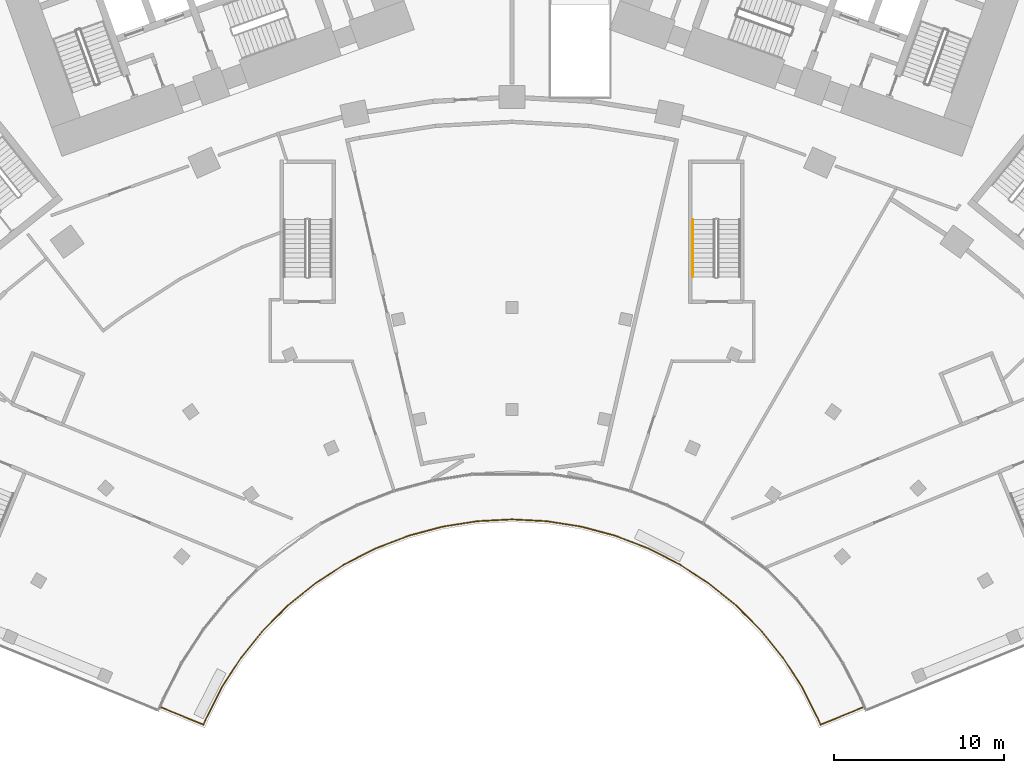
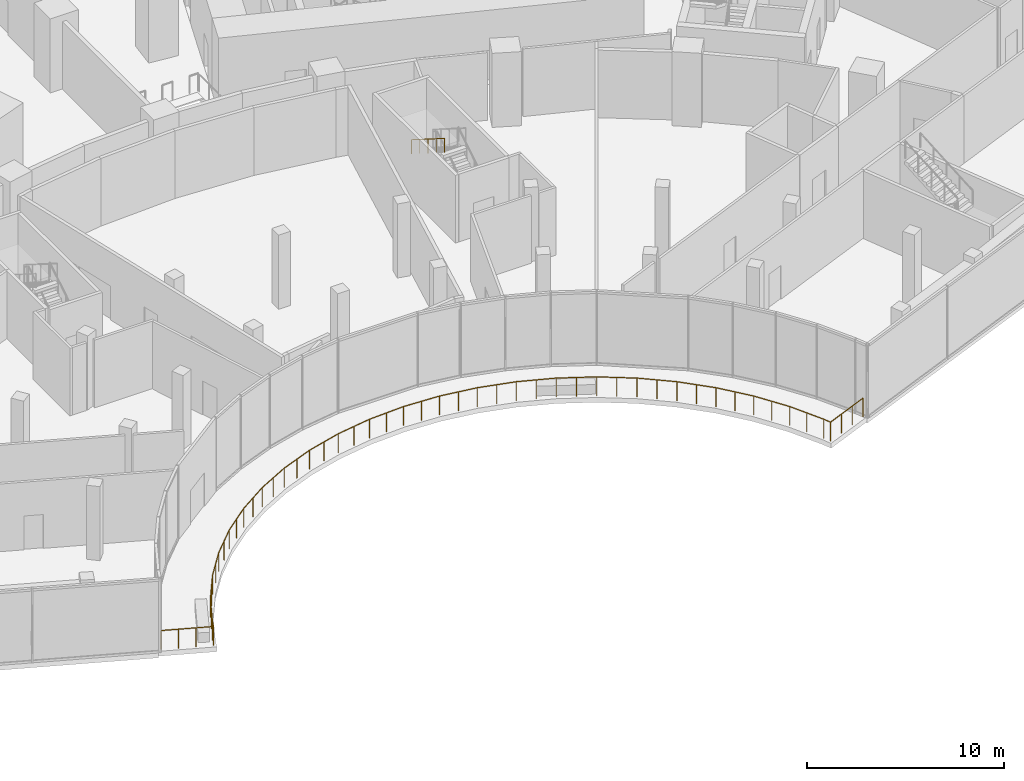
# One storey, part 36 of 40: 2 railings.
"""IFC4 building model written with IfcOpenShell, lengths in metres."""

from ifc_helpers import new_model, si_unit, direction, frame, origin, origin_2d, place, context, subcontext, project, spatial, circle, extrude, material, type_object, element, save


model = new_model("IFC4")

# Units and contexts
model_context = context("Model", 3, precision=1e-05, world=origin(), true_north=direction((0.0, 1.0)))
body_context = subcontext(model_context, "Body", "Model", "MODEL_VIEW")
ifc_project = project(units=[si_unit("LENGTHUNIT", "METRE"), si_unit("AREAUNIT", "SQUARE_METRE"), si_unit("VOLUMEUNIT", "CUBIC_METRE"), si_unit("PLANEANGLEUNIT", "RADIAN"), si_unit("MASSUNIT", "GRAM", prefix="KILO")], contexts=[model_context])

# Site, building, storey
site_placement = place(None, origin())
site = spatial("IfcSite", under=ifc_project, at=site_placement, CompositionType="ELEMENT")
building_placement = place(site_placement, origin())
building = spatial("IfcBuilding", under=site, at=building_placement, Name="Stone Belt Terrace Tower", CompositionType="ELEMENT")
storey_placement = place(building_placement, frame((0.0, 0.0, 11.60009765625)))
storey = spatial("IfcBuildingStorey", under=building, at=storey_placement, Name="L02", CompositionType="ELEMENT", Elevation=11.60009765625)

# Railings
ifc_material_1 = material(Name="Stainless steel handrail", Category="steel")
railing_type_1 = type_object("IfcRailingType", Name="Podium stair handrail", PredefinedType="HANDRAIL", material=ifc_material_1)
railing_1_placement = place(storey_placement, frame((10.625, 37.25, 2.476806640625)))
element("IfcRailing", 1, at=railing_1_placement, inside=storey, type_object=railing_type_1, Name="L02 PS6 stair handrail 2", PredefinedType="HANDRAIL", context=body_context, shape_type="SweptSolid", body=[
    extrude(circle(Radius=0.02392578125, at=origin_2d()), frame((0.0, 0.0, 0.8759765625), z_axis=(0.0, -0.845389635667, 0.534150132366), x_axis=(1.0, 0.0, 0.0)), (0.0, 0.0, 1.0), 3.974609375),
    extrude(circle(Radius=0.02099609375, at=origin_2d()), origin(), (0.0, 0.0, 1.0), 0.851806640625),
    extrude(circle(Radius=0.02099609375, at=origin_2d()), frame((0.0, -0.840087890625, 0.53076171875)), (0.0, 0.0, 1.0), 0.851806640625),
    extrude(circle(Radius=0.02099609375, at=origin_2d()), frame((0.0, -1.68017578125, 1.0615234375)), (0.0, 0.0, 1.0), 0.851806640625),
    extrude(circle(Radius=0.02099609375, at=origin_2d()), frame((0.0, -2.52001953125, 1.59228515625)), (0.0, 0.0, 1.0), 0.851806640625),
    extrude(circle(Radius=0.02099609375, at=origin_2d()), frame((0.0, -3.360107421875, 2.123046875)), (0.0, 0.0, 1.0), 0.851806640625),
])
ifc_material_2 = material(Name="Stainless steel AISI 304", Category="steel")
railing_type_2 = type_object("IfcRailingType", Name="Terrace guard 1200", PredefinedType="GUARDRAIL", material=ifc_material_2)
railing_2_placement = place(storey_placement, frame((-20.621337890625, 8.614013671875, 0.0)))
element("IfcRailing", 2, at=railing_2_placement, inside=storey, type_object=railing_type_2, Name="GUARD L02 1.1", PredefinedType="GUARDRAIL", context=body_context, shape_type="SweptSolid", body=[
    extrude(circle(Radius=0.02490234375, at=origin_2d()), frame((0.0, 0.0, 1.1748046875), z_axis=(0.925300457224, -0.379234839988, 0.0), x_axis=(0.379234839988, 0.925300457224, 0.0)), (0.0, 0.0, 1.0), 2.699951171875),
    extrude(circle(Radius=0.02490234375, at=origin_2d()), frame((2.498291015625, -1.02392578125, 1.1748046875), z_axis=(0.392713963972, 0.919660667041, 0.0), x_axis=(-0.919660667041, 0.392713963972, 0.0)), (0.0, 0.0, 1.0), 0.440185546875),
    extrude(circle(Radius=0.02490234375, at=origin_2d()), frame((2.671142578125, -0.619140625, 1.1748046875), z_axis=(0.453998774913, 0.891002307728, 0.0), x_axis=(-0.891002307728, 0.453998774913, 0.0)), (0.0, 0.0, 1.0), 2.05419921875),
    extrude(circle(Radius=0.02490234375, at=origin_2d()), frame((3.603759765625, 1.211181640625, 1.1748046875), z_axis=(0.544633637349, 0.838674073206, 0.0), x_axis=(-0.838674073206, 0.544633637349, 0.0)), (0.0, 0.0, 1.0), 2.056640625),
    extrude(circle(Radius=0.02490234375, at=origin_2d()), frame((4.723876953125, 2.93603515625, 1.1748046875), z_axis=(0.629345047166, 0.77712599468, 0.0), x_axis=(-0.77712599468, 0.629345047166, 0.0)), (0.0, 0.0, 1.0), 2.056884765625),
    extrude(circle(Radius=0.02490234375, at=origin_2d()), frame((6.018310546875, 4.534423828125, 1.1748046875), z_axis=(0.707106781187, 0.707106781187, 0.0), x_axis=(-0.707106781187, 0.707106781187, 0.0)), (0.0, 0.0, 1.0), 2.05712890625),
    extrude(circle(Radius=0.02490234375, at=origin_2d()), frame((7.472900390625, 5.989013671875, 1.1748046875), z_axis=(0.77712599468, 0.629345047166, 0.0), x_axis=(-0.629345047166, 0.77712599468, 0.0)), (0.0, 0.0, 1.0), 2.056884765625),
    extrude(circle(Radius=0.02490234375, at=origin_2d()), frame((9.0712890625, 7.283447265625, 1.1748046875), z_axis=(0.838674073206, 0.544633637349, 0.0), x_axis=(-0.544633637349, 0.838674073206, 0.0)), (0.0, 0.0, 1.0), 2.056640625),
    extrude(circle(Radius=0.02490234375, at=origin_2d()), frame((10.796142578125, 8.403564453125, 1.1748046875), z_axis=(0.891006886641, 0.453989788385, 0.0), x_axis=(-0.453989788385, 0.891006886641, 0.0)), (0.0, 0.0, 1.0), 2.056884765625),
    extrude(circle(Radius=0.02490234375, at=origin_2d()), frame((12.62890625, 9.33740234375, 1.1748046875), z_axis=(0.933584025884, 0.358358572682, 0.0), x_axis=(-0.358358572682, 0.933584025884, 0.0)), (0.0, 0.0, 1.0), 2.056884765625),
    extrude(circle(Radius=0.02490234375, at=origin_2d()), frame((14.549072265625, 10.074462890625, 1.1748046875), z_axis=(0.965942753978, 0.258755861842, 0.0), x_axis=(-0.258755861842, 0.965942753978, 0.0)), (0.0, 0.0, 1.0), 2.056884765625),
    extrude(circle(Radius=0.02490234375, at=origin_2d()), frame((16.535888671875, 10.606689453125, 1.1748046875), z_axis=(0.987686817018, 0.156444084224, 0.0), x_axis=(-0.156444084224, 0.987686817018, 0.0)), (0.0, 0.0, 1.0), 2.056884765625),
    extrude(circle(Radius=0.02490234375, at=origin_2d()), frame((18.5673828125, 10.928466796875, 1.1748046875), z_axis=(0.998628955551, 0.052347006941, 0.0), x_axis=(-0.052347006941, 0.998628955551, 0.0)), (0.0, 0.0, 1.0), 2.056884765625),
    extrude(circle(Radius=0.02490234375, at=origin_2d()), frame((20.621337890625, 11.0361328125, 1.1748046875), z_axis=(0.998628955551, -0.052347006941, 0.0), x_axis=(0.052347006941, 0.998628955551, 0.0)), (0.0, 0.0, 1.0), 2.056884765625),
    extrude(circle(Radius=0.02490234375, at=origin_2d()), frame((22.67529296875, 10.928466796875, 1.1748046875), z_axis=(0.987686817018, -0.156444084224, 0.0), x_axis=(0.156444084224, 0.987686817018, 0.0)), (0.0, 0.0, 1.0), 2.056884765625),
    extrude(circle(Radius=0.02490234375, at=origin_2d()), frame((24.706787109375, 10.606689453125, 1.1748046875), z_axis=(0.965942753978, -0.258755861842, 0.0), x_axis=(0.258755861842, 0.965942753978, 0.0)), (0.0, 0.0, 1.0), 2.056884765625),
    extrude(circle(Radius=0.02490234375, at=origin_2d()), frame((26.693603515625, 10.074462890625, 1.1748046875), z_axis=(0.933584025884, -0.358358572682, 0.0), x_axis=(0.358358572682, 0.933584025884, 0.0)), (0.0, 0.0, 1.0), 2.056884765625),
    extrude(circle(Radius=0.02490234375, at=origin_2d()), frame((28.61376953125, 9.33740234375, 1.1748046875), z_axis=(0.891006886641, -0.453989788385, 0.0), x_axis=(0.453989788385, 0.891006886641, 0.0)), (0.0, 0.0, 1.0), 2.056884765625),
    extrude(circle(Radius=0.02490234375, at=origin_2d()), frame((30.446533203125, 8.403564453125, 1.1748046875), z_axis=(0.838674073206, -0.544633637349, 0.0), x_axis=(0.544633637349, 0.838674073206, 0.0)), (0.0, 0.0, 1.0), 2.056640625),
    extrude(circle(Radius=0.02490234375, at=origin_2d()), frame((32.17138671875, 7.283447265625, 1.1748046875), z_axis=(0.77712599468, -0.629345047166, 0.0), x_axis=(0.629345047166, 0.77712599468, 0.0)), (0.0, 0.0, 1.0), 2.056884765625),
    extrude(circle(Radius=0.02490234375, at=origin_2d()), frame((33.769775390625, 5.989013671875, 1.1748046875), z_axis=(0.707106781187, -0.707106781187, 0.0), x_axis=(0.707106781187, 0.707106781187, 0.0)), (0.0, 0.0, 1.0), 2.05712890625),
    extrude(circle(Radius=0.02490234375, at=origin_2d()), frame((35.224365234375, 4.534423828125, 1.1748046875), z_axis=(0.629345047166, -0.77712599468, 0.0), x_axis=(0.77712599468, 0.629345047166, 0.0)), (0.0, 0.0, 1.0), 2.056884765625),
    extrude(circle(Radius=0.02490234375, at=origin_2d()), frame((36.518798828125, 2.93603515625, 1.1748046875), z_axis=(0.544633637349, -0.838674073206, 0.0), x_axis=(0.838674073206, 0.544633637349, 0.0)), (0.0, 0.0, 1.0), 2.056640625),
    extrude(circle(Radius=0.02490234375, at=origin_2d()), frame((37.638916015625, 1.211181640625, 1.1748046875), z_axis=(0.453998774913, -0.891002307728, 0.0), x_axis=(0.891002307728, 0.453998774913, 0.0)), (0.0, 0.0, 1.0), 2.05419921875),
    extrude(circle(Radius=0.02490234375, at=origin_2d()), frame((38.571533203125, -0.619140625, 1.1748046875), z_axis=(0.392713963972, -0.919660667041, 0.0), x_axis=(0.919660667041, 0.392713963972, 0.0)), (0.0, 0.0, 1.0), 0.440185546875),
    extrude(circle(Radius=0.02490234375, at=origin_2d()), frame((38.744384765625, -1.02392578125, 1.1748046875), z_axis=(0.925300457224, 0.379234839988, 0.0), x_axis=(-0.379234839988, 0.925300457224, 0.0)), (0.0, 0.0, 1.0), 2.699951171875),
    extrude(circle(Radius=0.02001953125, at=origin_2d()), origin(), (0.0, 0.0, 1.0), 1.14990234375),
    extrude(circle(Radius=0.02001953125, at=origin_2d()), frame((0.832763671875, -0.34130859375, 0.0)), (0.0, 0.0, 1.0), 1.14990234375),
    extrude(circle(Radius=0.02001953125, at=origin_2d()), frame((1.66552734375, -0.6826171875, 0.0)), (0.0, 0.0, 1.0), 1.14990234375),
    extrude(circle(Radius=0.02001953125, at=origin_2d()), frame((2.498291015625, -1.02392578125, 0.0)), (0.0, 0.0, 1.0), 1.14990234375),
    extrude(circle(Radius=0.02001953125, at=origin_2d()), frame((2.671142578125, -0.619140625, 0.0)), (0.0, 0.0, 1.0), 1.14990234375),
    extrude(circle(Radius=0.02001953125, at=origin_2d()), frame((3.137451171875, 0.2958984375, 0.0)), (0.0, 0.0, 1.0), 1.14990234375),
    extrude(circle(Radius=0.02001953125, at=origin_2d()), frame((3.603759765625, 1.211181640625, 0.0)), (0.0, 0.0, 1.0), 1.14990234375),
    extrude(circle(Radius=0.02001953125, at=origin_2d()), frame((4.163818359375, 2.07373046875, 0.0)), (0.0, 0.0, 1.0), 1.14990234375),
    extrude(circle(Radius=0.02001953125, at=origin_2d()), frame((4.723876953125, 2.93603515625, 0.0)), (0.0, 0.0, 1.0), 1.14990234375),
    extrude(circle(Radius=0.02001953125, at=origin_2d()), frame((5.37109375, 3.7353515625, 0.0)), (0.0, 0.0, 1.0), 1.14990234375),
    extrude(circle(Radius=0.02001953125, at=origin_2d()), frame((6.018310546875, 4.534423828125, 0.0)), (0.0, 0.0, 1.0), 1.14990234375),
    extrude(circle(Radius=0.02001953125, at=origin_2d()), frame((6.74560546875, 5.26171875, 0.0)), (0.0, 0.0, 1.0), 1.14990234375),
    extrude(circle(Radius=0.02001953125, at=origin_2d()), frame((7.472900390625, 5.989013671875, 0.0)), (0.0, 0.0, 1.0), 1.14990234375),
    extrude(circle(Radius=0.02001953125, at=origin_2d()), frame((8.27197265625, 6.63623046875, 0.0)), (0.0, 0.0, 1.0), 1.14990234375),
    extrude(circle(Radius=0.02001953125, at=origin_2d()), frame((9.0712890625, 7.283447265625, 0.0)), (0.0, 0.0, 1.0), 1.14990234375),
    extrude(circle(Radius=0.02001953125, at=origin_2d()), frame((9.93359375, 7.843505859375, 0.0)), (0.0, 0.0, 1.0), 1.14990234375),
    extrude(circle(Radius=0.02001953125, at=origin_2d()), frame((10.796142578125, 8.403564453125, 0.0)), (0.0, 0.0, 1.0), 1.14990234375),
    extrude(circle(Radius=0.02001953125, at=origin_2d()), frame((11.71240234375, 8.87060546875, 0.0)), (0.0, 0.0, 1.0), 1.14990234375),
    extrude(circle(Radius=0.02001953125, at=origin_2d()), frame((12.62890625, 9.33740234375, 0.0)), (0.0, 0.0, 1.0), 1.14990234375),
    extrude(circle(Radius=0.02001953125, at=origin_2d()), frame((13.5888671875, 9.7060546875, 0.0)), (0.0, 0.0, 1.0), 1.14990234375),
    extrude(circle(Radius=0.02001953125, at=origin_2d()), frame((14.549072265625, 10.074462890625, 0.0)), (0.0, 0.0, 1.0), 1.14990234375),
    extrude(circle(Radius=0.02001953125, at=origin_2d()), frame((15.54248046875, 10.340576171875, 0.0)), (0.0, 0.0, 1.0), 1.14990234375),
    extrude(circle(Radius=0.02001953125, at=origin_2d()), frame((16.535888671875, 10.606689453125, 0.0)), (0.0, 0.0, 1.0), 1.14990234375),
    extrude(circle(Radius=0.02001953125, at=origin_2d()), frame((17.5517578125, 10.767578125, 0.0)), (0.0, 0.0, 1.0), 1.14990234375),
    extrude(circle(Radius=0.02001953125, at=origin_2d()), frame((18.5673828125, 10.928466796875, 0.0)), (0.0, 0.0, 1.0), 1.14990234375),
    extrude(circle(Radius=0.02001953125, at=origin_2d()), frame((19.59423828125, 10.982421875, 0.0)), (0.0, 0.0, 1.0), 1.14990234375),
    extrude(circle(Radius=0.02001953125, at=origin_2d()), frame((20.621337890625, 11.0361328125, 0.0)), (0.0, 0.0, 1.0), 1.14990234375),
    extrude(circle(Radius=0.02001953125, at=origin_2d()), frame((21.6484375, 10.982421875, 0.0)), (0.0, 0.0, 1.0), 1.14990234375),
    extrude(circle(Radius=0.02001953125, at=origin_2d()), frame((22.67529296875, 10.928466796875, 0.0)), (0.0, 0.0, 1.0), 1.14990234375),
    extrude(circle(Radius=0.02001953125, at=origin_2d()), frame((23.69091796875, 10.767578125, 0.0)), (0.0, 0.0, 1.0), 1.14990234375),
    extrude(circle(Radius=0.02001953125, at=origin_2d()), frame((24.706787109375, 10.606689453125, 0.0)), (0.0, 0.0, 1.0), 1.14990234375),
    extrude(circle(Radius=0.02001953125, at=origin_2d()), frame((25.7001953125, 10.340576171875, 0.0)), (0.0, 0.0, 1.0), 1.14990234375),
    extrude(circle(Radius=0.02001953125, at=origin_2d()), frame((26.693603515625, 10.074462890625, 0.0)), (0.0, 0.0, 1.0), 1.14990234375),
    extrude(circle(Radius=0.02001953125, at=origin_2d()), frame((27.65380859375, 9.7060546875, 0.0)), (0.0, 0.0, 1.0), 1.14990234375),
    extrude(circle(Radius=0.02001953125, at=origin_2d()), frame((28.61376953125, 9.33740234375, 0.0)), (0.0, 0.0, 1.0), 1.14990234375),
    extrude(circle(Radius=0.02001953125, at=origin_2d()), frame((29.5302734375, 8.87060546875, 0.0)), (0.0, 0.0, 1.0), 1.14990234375),
    extrude(circle(Radius=0.02001953125, at=origin_2d()), frame((30.446533203125, 8.403564453125, 0.0)), (0.0, 0.0, 1.0), 1.14990234375),
    extrude(circle(Radius=0.02001953125, at=origin_2d()), frame((31.30908203125, 7.843505859375, 0.0)), (0.0, 0.0, 1.0), 1.14990234375),
    extrude(circle(Radius=0.02001953125, at=origin_2d()), frame((32.17138671875, 7.283447265625, 0.0)), (0.0, 0.0, 1.0), 1.14990234375),
    extrude(circle(Radius=0.02001953125, at=origin_2d()), frame((32.970703125, 6.63623046875, 0.0)), (0.0, 0.0, 1.0), 1.14990234375),
    extrude(circle(Radius=0.02001953125, at=origin_2d()), frame((33.769775390625, 5.989013671875, 0.0)), (0.0, 0.0, 1.0), 1.14990234375),
    extrude(circle(Radius=0.02001953125, at=origin_2d()), frame((34.4970703125, 5.26171875, 0.0)), (0.0, 0.0, 1.0), 1.14990234375),
    extrude(circle(Radius=0.02001953125, at=origin_2d()), frame((35.224365234375, 4.534423828125, 0.0)), (0.0, 0.0, 1.0), 1.14990234375),
    extrude(circle(Radius=0.02001953125, at=origin_2d()), frame((35.87158203125, 3.7353515625, 0.0)), (0.0, 0.0, 1.0), 1.14990234375),
    extrude(circle(Radius=0.02001953125, at=origin_2d()), frame((36.518798828125, 2.93603515625, 0.0)), (0.0, 0.0, 1.0), 1.14990234375),
    extrude(circle(Radius=0.02001953125, at=origin_2d()), frame((37.078857421875, 2.07373046875, 0.0)), (0.0, 0.0, 1.0), 1.14990234375),
    extrude(circle(Radius=0.02001953125, at=origin_2d()), frame((37.638916015625, 1.211181640625, 0.0)), (0.0, 0.0, 1.0), 1.14990234375),
    extrude(circle(Radius=0.02001953125, at=origin_2d()), frame((38.105224609375, 0.2958984375, 0.0)), (0.0, 0.0, 1.0), 1.14990234375),
    extrude(circle(Radius=0.02001953125, at=origin_2d()), frame((38.571533203125, -0.619140625, 0.0)), (0.0, 0.0, 1.0), 1.14990234375),
    extrude(circle(Radius=0.02001953125, at=origin_2d()), frame((38.744384765625, -1.02392578125, 0.0)), (0.0, 0.0, 1.0), 1.14990234375),
    extrude(circle(Radius=0.02001953125, at=origin_2d()), frame((39.5771484375, -0.6826171875, 0.0)), (0.0, 0.0, 1.0), 1.14990234375),
    extrude(circle(Radius=0.02001953125, at=origin_2d()), frame((40.409912109375, -0.34130859375, 0.0)), (0.0, 0.0, 1.0), 1.14990234375),
    extrude(circle(Radius=0.02001953125, at=origin_2d()), frame((41.24267578125, 0.0, 0.0)), (0.0, 0.0, 1.0), 1.14990234375),
])

save(model, "model.ifc")
